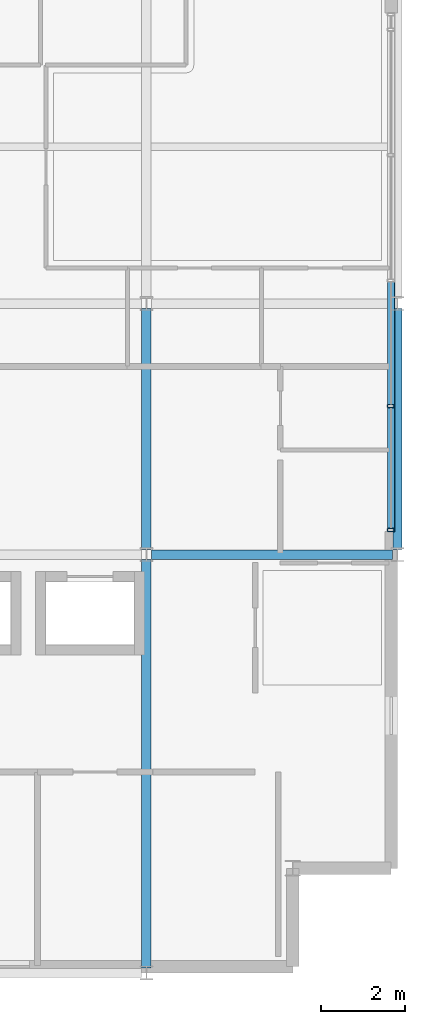
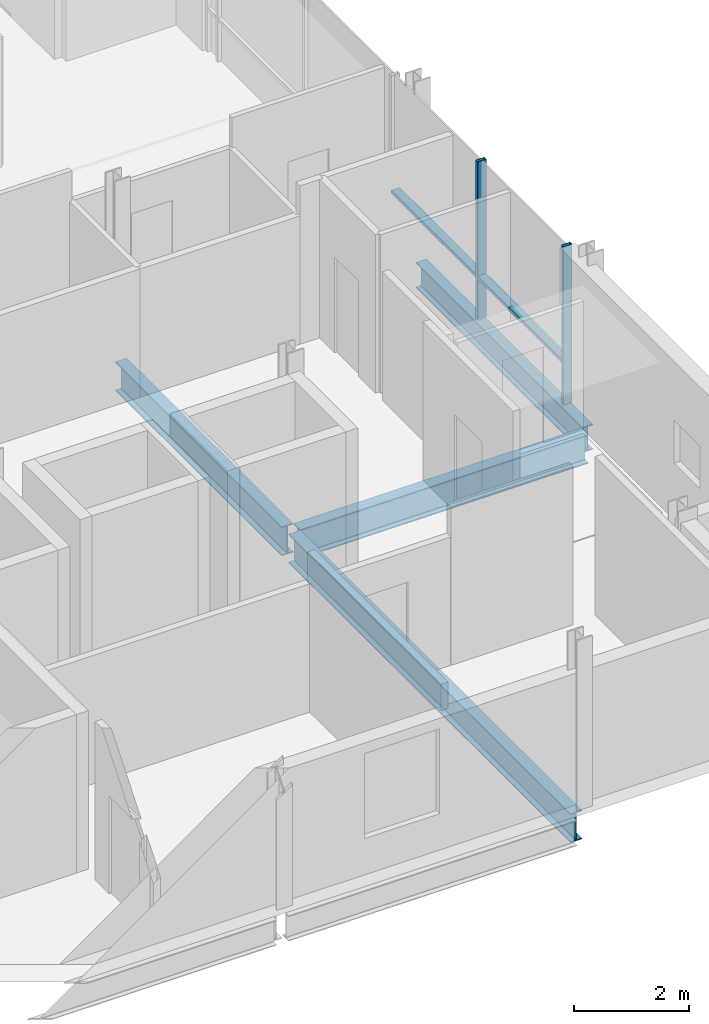
# One storey, part 8 of 18: 4 beams, 4 members, 1 element without a shape of its own.
"""IFC4 building model written with IfcOpenShell, lengths in metres."""

from ifc_helpers import new_model, si_unit, direction, frame, origin, origin_2d, place, context, subcontext, project, spatial, hollow_rectangle, i_section, extrude, material, layer, layer_set, material_profile, profile_set, type_object, element, aggregate, save


model = new_model("IFC4")

# Units and contexts
model_context = context("Model", 3, precision=1e-05, world=origin(), true_north=direction((0.0, 1.0)))
body_context = subcontext(model_context, "Body", "Model", "MODEL_VIEW")
ifc_project = project(units=[si_unit("LENGTHUNIT", "METRE"), si_unit("AREAUNIT", "SQUARE_METRE"), si_unit("VOLUMEUNIT", "CUBIC_METRE"), si_unit("PLANEANGLEUNIT", "RADIAN"), si_unit("MASSUNIT", "GRAM", prefix="KILO")], contexts=[model_context])

# Site, building, storey
site_placement = place(None, origin())
site = spatial("IfcSite", under=ifc_project, at=site_placement, CompositionType="ELEMENT")
building_placement = place(site_placement, origin())
building = spatial("IfcBuilding", under=site, at=building_placement, Name="Brevholm Reach", CompositionType="ELEMENT")
storey_placement = place(building_placement, frame((0.0, 0.0, 240.050048828125)))
storey = spatial("IfcBuildingStorey", under=building, at=storey_placement, Name="L73", CompositionType="ELEMENT", Elevation=240.050048828125)

# Beams
ifc_material_1 = material(Name="Structural Steel S355J2", Category="steel")
ifc_material_profile_1 = material_profile(ifc_material_1, i_section(OverallWidth=0.210693359375, OverallDepth=0.53955078125, WebThickness=0.01171875, FlangeThickness=0.018798828125, FilletRadius=0.0126953125, at=origin_2d()), Name="UKB 533x210x109")
ifc_profile_set_1 = profile_set([ifc_material_profile_1], Name="Structural Steel S355J2")
beam_type_1 = type_object("IfcBeamType", Name="BM-SP539", PredefinedType="SPANDREL", material=ifc_profile_set_1)
beam_1_placement = place(storey_placement, frame((60.0, 10.1201171875, -0.519775390625), z_axis=(0.0, 1.0, 0.0), x_axis=(-1.0, 0.0, 0.0)))
element("IfcBeam", 1, at=beam_1_placement, inside=storey, type_object=beam_type_1, Name="L73 SP-01B Framing Beam", PredefinedType="SPANDREL", context=body_context, shape_type="SweptSolid", body=[
    extrude(i_section(OverallWidth=0.210693359375, OverallDepth=0.53955078125, WebThickness=0.01171875, FlangeThickness=0.018798828125, FilletRadius=0.0126953125, at=origin_2d()), origin(), (0.0, 0.0, 1.0), 5.759765625),
])
ifc_material_2 = material(Name="Structural Steel S355J2", Category="steel")
ifc_material_profile_2 = material_profile(ifc_material_2, i_section(OverallWidth=0.22900390625, OverallDepth=0.6123046875, WebThickness=0.011962890625, FlangeThickness=0.01953125, FilletRadius=0.0126953125, at=origin_2d()), Name="UKB 610x229x125")
ifc_profile_set_2 = profile_set([ifc_material_profile_2], Name="Structural Steel S355J2")
beam_type_2 = type_object("IfcBeamType", Name="BM-SP610", PredefinedType="SPANDREL", material=ifc_profile_set_2)
beam_2_placement = place(storey_placement, frame((54.1201171875, 10.0, -0.55615234375), z_axis=(1.0, 0.0, 0.0), x_axis=(0.0, 1.0, 0.0)))
element("IfcBeam", 2, at=beam_2_placement, inside=storey, type_object=beam_type_2, Name="L73 SP-01 Framing Beam", PredefinedType="SPANDREL", context=body_context, shape_type="SweptSolid", body=[
    extrude(i_section(OverallWidth=0.22900390625, OverallDepth=0.6123046875, WebThickness=0.011962890625, FlangeThickness=0.01953125, FilletRadius=0.0126953125, at=origin_2d()), origin(), (0.0, 0.0, 1.0), 5.759765625),
])
beam_3_placement = place(storey_placement, frame((54.0, 0.1201171875, -0.55615234375), z_axis=(0.0, 1.0, 0.0), x_axis=(-1.0, 0.0, 0.0)))
element("IfcBeam", 3, at=beam_3_placement, inside=storey, type_object=beam_type_2, Name="L73 SP-01 Framing Beam", PredefinedType="SPANDREL", context=body_context, shape_type="SweptSolid", body=[
    extrude(i_section(OverallWidth=0.22900390625, OverallDepth=0.6123046875, WebThickness=0.011962890625, FlangeThickness=0.01953125, FilletRadius=0.0126953125, at=origin_2d()), origin(), (0.0, 0.0, 1.0), 9.759765625),
])
beam_4_placement = place(storey_placement, frame((54.0, 10.1201171875, -0.55615234375), z_axis=(0.0, 1.0, 0.0), x_axis=(-1.0, 0.0, 0.0)))
element("IfcBeam", 4, at=beam_4_placement, inside=storey, type_object=beam_type_2, Name="L73 SP-01 Framing Beam", PredefinedType="SPANDREL", context=body_context, shape_type="SweptSolid", body=[
    extrude(i_section(OverallWidth=0.22900390625, OverallDepth=0.6123046875, WebThickness=0.011962890625, FlangeThickness=0.01953125, FilletRadius=0.0126953125, at=origin_2d()), origin(), (0.0, 0.0, 1.0), 5.759765625),
])

# Curtain wall, members
ifc_material_3 = material(Name="Dark Anodised Aluminium 6063-T6 and Solar-Control Glass", Category="aluminium")
ifc_layer = layer(ifc_material_3, 0.179931640625)
ifc_layer_set = layer_set([ifc_layer], Name="Dark Anodised Aluminium 6063-T6 and Solar-Control Glass")
curtain_wall_type = type_object("IfcCurtainWallType", Name="CW-05", PredefinedType="NOTDEFINED", material=ifc_layer_set)
curtain_wall_placement = place(storey_placement, origin())
curtain_wall = element("IfcCurtainWall", 5, at=curtain_wall_placement, inside=storey, type_object=curtain_wall_type, Name="L73 Curtain Wall CW-05", PredefinedType="NOTDEFINED")
ifc_material_4 = material(Name="Dark Anodised Aluminium 6063-T6", Category="aluminium")
ifc_material_profile_3 = material_profile(ifc_material_4, hollow_rectangle(XDim=0.074951171875, YDim=0.179931640625, WallThickness=0.006103515625, InnerFilletRadius=0.006103515625, OuterFilletRadius=0.011962890625, at=origin_2d()), Name="RHS 180x75x6")
ifc_profile_set_3 = profile_set([ifc_material_profile_3], Name="Dark Anodised Aluminium 6063-T6")
member_type_1 = type_object("IfcMemberType", Name="CWM-180", PredefinedType="MULLION", material=ifc_profile_set_3)
member_1_placement = place(storey_placement, frame((59.85009765625, 10.58740234375, 0.0), z_axis=(0.0, 0.0, 1.0), x_axis=(0.0, 1.0, 0.0)))
member_1 = element("IfcMember", 6, at=member_1_placement, type_object=member_type_1, Name="CM-180 Mullion 1", PredefinedType="MULLION", context=body_context, shape_type="SweptSolid", body=[
    extrude(hollow_rectangle(XDim=0.074951171875, YDim=0.179931640625, WallThickness=0.006103515625, InnerFilletRadius=0.006103515625, OuterFilletRadius=0.011962890625, at=origin_2d()), origin(), (0.0, 0.0, 1.0), 3.349853515625),
])
member_2_placement = place(storey_placement, frame((59.85009765625, 13.550048828125, 0.0), z_axis=(0.0, 0.0, 1.0), x_axis=(0.0, 1.0, 0.0)))
member_2 = element("IfcMember", 7, at=member_2_placement, type_object=member_type_1, Name="CM-180 Mullion 2", PredefinedType="MULLION", context=body_context, shape_type="SweptSolid", body=[
    extrude(hollow_rectangle(XDim=0.074951171875, YDim=0.179931640625, WallThickness=0.006103515625, InnerFilletRadius=0.006103515625, OuterFilletRadius=0.011962890625, at=origin_2d()), origin(), (0.0, 0.0, 1.0), 3.349853515625),
])
ifc_material_5 = material(Name="Dark Anodised Aluminium 6063-T6", Category="aluminium")
ifc_material_profile_4 = material_profile(ifc_material_5, hollow_rectangle(XDim=0.074951171875, YDim=0.179931640625, WallThickness=0.006103515625, InnerFilletRadius=0.006103515625, OuterFilletRadius=0.011962890625, at=origin_2d()), Name="RHS 180x75x6")
ifc_profile_set_4 = profile_set([ifc_material_profile_4], Name="Dark Anodised Aluminium 6063-T6")
member_type_2 = type_object("IfcMemberType", Name="CWT-180", PredefinedType="NOTDEFINED", material=ifc_profile_set_4)
member_3_placement = place(storey_placement, frame((59.85009765625, 10.625, 0.89990234375), z_axis=(0.0, 1.0, 0.0), x_axis=(0.0, 0.0, 1.0)))
member_3 = element("IfcMember", 8, at=member_3_placement, type_object=member_type_2, Name="CT-180 Transom 1.1", ObjectType="TRANSOM", PredefinedType="USERDEFINED", context=body_context, shape_type="SweptSolid", body=[
    extrude(hollow_rectangle(XDim=0.074951171875, YDim=0.179931640625, WallThickness=0.006103515625, InnerFilletRadius=0.006103515625, OuterFilletRadius=0.011962890625, at=origin_2d()), origin(), (0.0, 0.0, 1.0), 2.887451171875),
])
member_4_placement = place(storey_placement, frame((59.85009765625, 13.58740234375, 0.89990234375), z_axis=(0.0, 1.0, 0.0), x_axis=(0.0, 0.0, 1.0)))
member_4 = element("IfcMember", 9, at=member_4_placement, type_object=member_type_2, Name="CT-180 Transom 2.1", ObjectType="TRANSOM", PredefinedType="USERDEFINED", context=body_context, shape_type="SweptSolid", body=[
    extrude(hollow_rectangle(XDim=0.074951171875, YDim=0.179931640625, WallThickness=0.006103515625, InnerFilletRadius=0.006103515625, OuterFilletRadius=0.011962890625, at=origin_2d()), origin(), (0.0, 0.0, 1.0), 2.925048828125),
])
aggregate(curtain_wall, [member_1, member_2, member_3, member_4])

save(model, "model.ifc")
